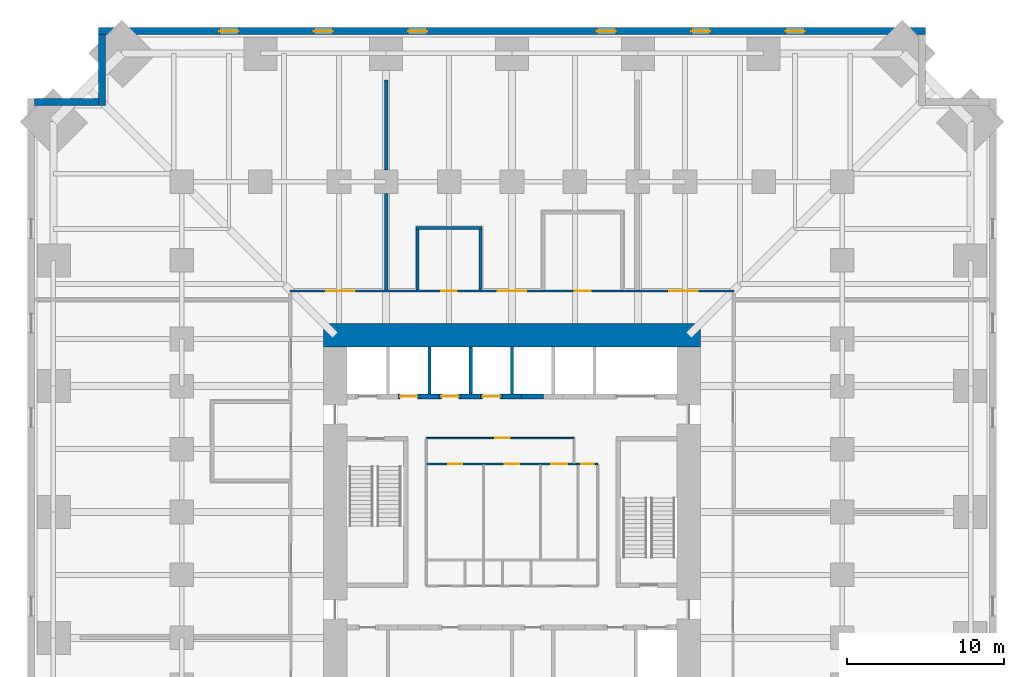
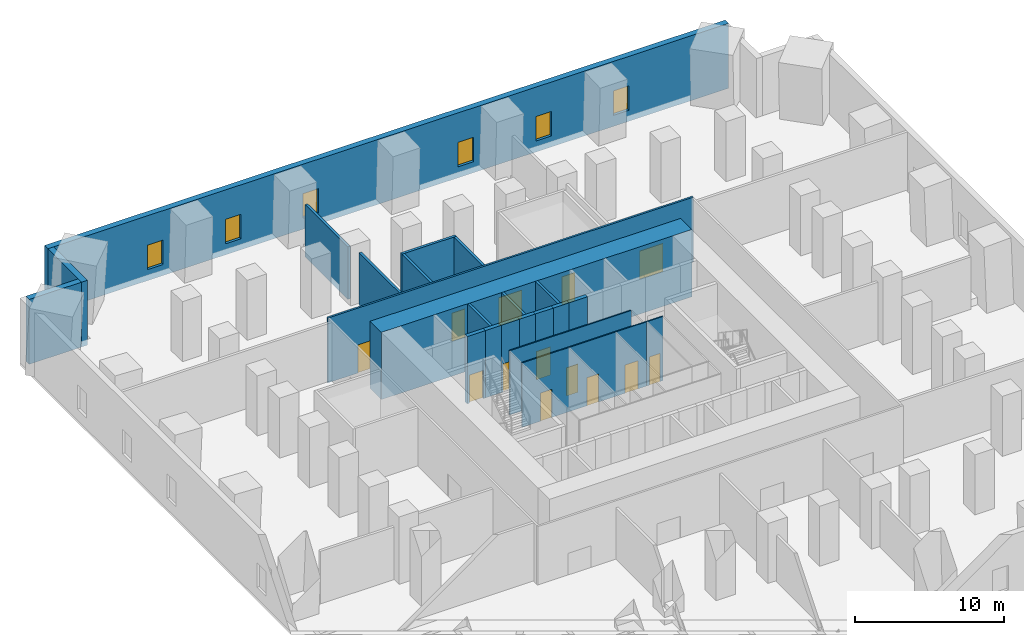
# One storey, part 6 of 8: 23 walls, 13 doors, 6 windows, 19 openings.
"""IFC4 building model written with IfcOpenShell, lengths in metres."""

from ifc_helpers import new_model, si_unit, direction, frame, frame_2d, origin, place, context, subcontext, project, spatial, rectangle, extrude, material, layer, layer_set, type_object, element, fill, save


model = new_model("IFC4")

# Units and contexts
model_context = context("Model", 3, precision=1e-05, world=origin(), true_north=direction((0.0, 1.0)))
body_context = subcontext(model_context, "Body", "Model", "MODEL_VIEW")
ifc_project = project(units=[si_unit("LENGTHUNIT", "METRE"), si_unit("AREAUNIT", "SQUARE_METRE"), si_unit("VOLUMEUNIT", "CUBIC_METRE"), si_unit("PLANEANGLEUNIT", "RADIAN"), si_unit("MASSUNIT", "GRAM", prefix="KILO")], contexts=[model_context])

# Site, building, storey
site_placement = place(None, origin())
site = spatial("IfcSite", under=ifc_project, at=site_placement, CompositionType="ELEMENT")
building_placement = place(site_placement, origin())
building = spatial("IfcBuilding", under=site, at=building_placement, Name="Peilmerk Tower", CompositionType="ELEMENT")
storey_placement = place(building_placement, frame((0.0, 0.0, 43.0)))
storey = spatial("IfcBuildingStorey", under=building, at=storey_placement, Name="L08", CompositionType="ELEMENT", Elevation=43.0)

# Wall, openings, windows
ifc_material_1 = material(Name="Precast concrete C45/55, board-marked finish", Category="concrete")
ifc_layer_1 = layer(ifc_material_1, 0.449951171875)
ifc_layer_set_1 = layer_set([ifc_layer_1], Name="Precast concrete C45/55, board-marked finish")
wall_type_1 = type_object("IfcWallType", Name="EW1 450 precast concrete facade wall, board-marked", PredefinedType="SOLIDWALL", material=ifc_layer_set_1)
wall_1_placement = place(storey_placement, frame((26.300048828125, 30.574951171875, 0.0), z_axis=(0.0, 0.0, 1.0), x_axis=(-1.0, 0.0, 0.0)))
wall_1 = element("IfcWall", 1, at=wall_1_placement, inside=storey, type_object=wall_type_1, Name="Facade wall N L08", PredefinedType="SOLIDWALL", context=body_context, shape_type="SweptSolid", body=[
    extrude(rectangle(XDim=52.60009765625, YDim=0.449951171875, at=frame_2d((26.300048828125, 0.0))), origin(), (0.0, 0.0, 1.0), 5.300048828125),
])
opening_1_placement = place(wall_1_placement, frame((7.699951171875, 0.0, 0.89990234375)))
opening_1 = element("IfcOpeningElement", 2, at=opening_1_placement, cuts=wall_1, Name="Opening W2", PredefinedType="OPENING", context=body_context, shape_type="SweptSolid", body=[
    extrude(rectangle(XDim=1.199951171875, YDim=2.0, at=frame_2d((0.60009765625, 1.0))), frame((0.0, 0.23486328125, 0.0), z_axis=(0.0, -1.0, 0.0), x_axis=(1.0, 0.0, 0.0)), (0.0, 0.0, 1.0), 0.469970703125),
])
opening_2_placement = place(wall_1_placement, frame((13.699951171875, 0.0, 0.89990234375)))
opening_2 = element("IfcOpeningElement", 3, at=opening_2_placement, cuts=wall_1, Name="Opening W2", PredefinedType="OPENING", context=body_context, shape_type="SweptSolid", body=[
    extrude(rectangle(XDim=1.199951171875, YDim=2.0, at=frame_2d((0.60009765625, 1.0))), frame((0.0, 0.23486328125, 0.0), z_axis=(0.0, -1.0, 0.0), x_axis=(1.0, 0.0, 0.0)), (0.0, 0.0, 1.0), 0.469970703125),
])
opening_3_placement = place(wall_1_placement, frame((19.699951171875, 0.0, 0.89990234375)))
opening_3 = element("IfcOpeningElement", 4, at=opening_3_placement, cuts=wall_1, Name="Opening W2", PredefinedType="OPENING", context=body_context, shape_type="SweptSolid", body=[
    extrude(rectangle(XDim=1.199951171875, YDim=2.0, at=frame_2d((0.60009765625, 1.0))), frame((0.0, 0.23486328125, 0.0), z_axis=(0.0, -1.0, 0.0), x_axis=(1.0, 0.0, 0.0)), (0.0, 0.0, 1.0), 0.469970703125),
])
opening_4_placement = place(wall_1_placement, frame((31.699951171875, 0.0, 0.89990234375)))
opening_4 = element("IfcOpeningElement", 5, at=opening_4_placement, cuts=wall_1, Name="Opening W2", PredefinedType="OPENING", context=body_context, shape_type="SweptSolid", body=[
    extrude(rectangle(XDim=1.199951171875, YDim=2.0, at=frame_2d((0.60009765625, 1.0))), frame((0.0, 0.23486328125, 0.0), z_axis=(0.0, -1.0, 0.0), x_axis=(1.0, 0.0, 0.0)), (0.0, 0.0, 1.0), 0.469970703125),
])
opening_5_placement = place(wall_1_placement, frame((37.699951171875, 0.0, 0.89990234375)))
opening_5 = element("IfcOpeningElement", 6, at=opening_5_placement, cuts=wall_1, Name="Opening W2", PredefinedType="OPENING", context=body_context, shape_type="SweptSolid", body=[
    extrude(rectangle(XDim=1.199951171875, YDim=2.0, at=frame_2d((0.60009765625, 1.0))), frame((0.0, 0.23486328125, 0.0), z_axis=(0.0, -1.0, 0.0), x_axis=(1.0, 0.0, 0.0)), (0.0, 0.0, 1.0), 0.469970703125),
])
opening_6_placement = place(wall_1_placement, frame((43.699951171875, 0.0, 0.89990234375)))
opening_6 = element("IfcOpeningElement", 7, at=opening_6_placement, cuts=wall_1, Name="Opening W2", PredefinedType="OPENING", context=body_context, shape_type="SweptSolid", body=[
    extrude(rectangle(XDim=1.199951171875, YDim=2.0, at=frame_2d((0.60009765625, 1.0))), frame((0.0, 0.23486328125, 0.0), z_axis=(0.0, -1.0, 0.0), x_axis=(1.0, 0.0, 0.0)), (0.0, 0.0, 1.0), 0.469970703125),
])
ifc_material_2 = material(Name="Aluminium frame, clear double glazing", Category="aluminium")
window_type = type_object("IfcWindowType", Name="W2 1200x2000 data hall slot window", PartitioningType="SINGLE_PANEL", PredefinedType="WINDOW", material=ifc_material_2)
window_1_placement = place(opening_1_placement, origin())
window_1 = element("IfcWindow", 8, at=window_1_placement, inside=storey, type_object=window_type, Name="Window W2 L08", OverallHeight=2.0, OverallWidth=1.199951171875, PartitioningType="SINGLE_PANEL", PredefinedType="WINDOW", context=body_context, shape_type="SweptSolid", body=[
    extrude(rectangle(XDim=1.199951171875, YDim=2.0, at=frame_2d((0.60009765625, 1.0))), frame((0.0, 0.030029296875, 0.0), z_axis=(0.0, -1.0, 0.0), x_axis=(1.0, 0.0, 0.0)), (0.0, 0.0, 1.0), 0.06005859375),
])
fill(opening_1, window_1)
window_2_placement = place(opening_2_placement, origin())
window_2 = element("IfcWindow", 9, at=window_2_placement, inside=storey, type_object=window_type, Name="Window W2 L08", OverallHeight=2.0, OverallWidth=1.199951171875, PartitioningType="SINGLE_PANEL", PredefinedType="WINDOW", context=body_context, shape_type="SweptSolid", body=[
    extrude(rectangle(XDim=1.199951171875, YDim=2.0, at=frame_2d((0.60009765625, 1.0))), frame((0.0, 0.030029296875, 0.0), z_axis=(0.0, -1.0, 0.0), x_axis=(1.0, 0.0, 0.0)), (0.0, 0.0, 1.0), 0.06005859375),
])
fill(opening_2, window_2)
window_3_placement = place(opening_3_placement, origin())
window_3 = element("IfcWindow", 10, at=window_3_placement, inside=storey, type_object=window_type, Name="Window W2 L08", OverallHeight=2.0, OverallWidth=1.199951171875, PartitioningType="SINGLE_PANEL", PredefinedType="WINDOW", context=body_context, shape_type="SweptSolid", body=[
    extrude(rectangle(XDim=1.199951171875, YDim=2.0, at=frame_2d((0.60009765625, 1.0))), frame((0.0, 0.030029296875, 0.0), z_axis=(0.0, -1.0, 0.0), x_axis=(1.0, 0.0, 0.0)), (0.0, 0.0, 1.0), 0.06005859375),
])
fill(opening_3, window_3)
window_4_placement = place(opening_4_placement, origin())
window_4 = element("IfcWindow", 11, at=window_4_placement, inside=storey, type_object=window_type, Name="Window W2 L08", OverallHeight=2.0, OverallWidth=1.199951171875, PartitioningType="SINGLE_PANEL", PredefinedType="WINDOW", context=body_context, shape_type="SweptSolid", body=[
    extrude(rectangle(XDim=1.199951171875, YDim=2.0, at=frame_2d((0.60009765625, 1.0))), frame((0.0, 0.030029296875, 0.0), z_axis=(0.0, -1.0, 0.0), x_axis=(1.0, 0.0, 0.0)), (0.0, 0.0, 1.0), 0.06005859375),
])
fill(opening_4, window_4)
window_5_placement = place(opening_5_placement, origin())
window_5 = element("IfcWindow", 12, at=window_5_placement, inside=storey, type_object=window_type, Name="Window W2 L08", OverallHeight=2.0, OverallWidth=1.199951171875, PartitioningType="SINGLE_PANEL", PredefinedType="WINDOW", context=body_context, shape_type="SweptSolid", body=[
    extrude(rectangle(XDim=1.199951171875, YDim=2.0, at=frame_2d((0.60009765625, 1.0))), frame((0.0, 0.030029296875, 0.0), z_axis=(0.0, -1.0, 0.0), x_axis=(1.0, 0.0, 0.0)), (0.0, 0.0, 1.0), 0.06005859375),
])
fill(opening_5, window_5)
window_6_placement = place(opening_6_placement, origin())
window_6 = element("IfcWindow", 13, at=window_6_placement, inside=storey, type_object=window_type, Name="Window W2 L08", OverallHeight=2.0, OverallWidth=1.199951171875, PartitioningType="SINGLE_PANEL", PredefinedType="WINDOW", context=body_context, shape_type="SweptSolid", body=[
    extrude(rectangle(XDim=1.199951171875, YDim=2.0, at=frame_2d((0.60009765625, 1.0))), frame((0.0, 0.030029296875, 0.0), z_axis=(0.0, -1.0, 0.0), x_axis=(1.0, 0.0, 0.0)), (0.0, 0.0, 1.0), 0.06005859375),
])
fill(opening_6, window_6)

# Walls
wall_2_placement = place(storey_placement, frame((-26.074951171875, 25.85009765625, 0.0), z_axis=(0.0, 0.0, 1.0), x_axis=(0.0, 1.0, 0.0)))
element("IfcWall", 14, at=wall_2_placement, inside=storey, type_object=wall_type_1, Name="Facade wall NWA L08", PredefinedType="SOLIDWALL", context=body_context, shape_type="SweptSolid", body=[
    extrude(rectangle(XDim=4.5, YDim=0.449951171875, at=frame_2d((2.25, 0.0))), origin(), (0.0, 0.0, 1.0), 5.300048828125),
])
wall_3_placement = place(storey_placement, frame((-26.300048828125, 26.074951171875, 0.0), z_axis=(0.0, 0.0, 1.0), x_axis=(-1.0, 0.0, 0.0)))
element("IfcWall", 15, at=wall_3_placement, inside=storey, type_object=wall_type_1, Name="Facade wall NWB L08", PredefinedType="SOLIDWALL", context=body_context, shape_type="SweptSolid", body=[
    extrude(rectangle(XDim=4.050048828125, YDim=0.449951171875, at=frame_2d((2.02490234375, 0.0))), origin(), (0.0, 0.0, 1.0), 5.300048828125),
])

# Wall, openings, doors
ifc_material_3 = material(Name="Calcium silicate block", Category="masonry")
ifc_layer_2 = layer(ifc_material_3, 0.14990234375)
ifc_layer_set_2 = layer_set([ifc_layer_2], Name="Calcium silicate block")
wall_type_2 = type_object("IfcWallType", Name="IW1 150 corridor partition, EI 60", PredefinedType="PARTITIONING", material=ifc_layer_set_2)
wall_4_placement = place(storey_placement, frame((-14.125, 14.050048828125, 0.0), z_axis=(0.0, 0.0, 1.0), x_axis=(1.0, 0.0, 0.0)))
wall_4 = element("IfcWall", 16, at=wall_4_placement, inside=storey, type_object=wall_type_2, Name="Corridor wall N L08", PredefinedType="PARTITIONING", context=body_context, shape_type="SweptSolid", body=[
    extrude(rectangle(XDim=28.25, YDim=0.14990234375, at=frame_2d((14.125, 0.0))), origin(), (0.0, 0.0, 1.0), 5.300048828125),
])
opening_7_placement = place(wall_4_placement, frame((2.324951171875, 0.0, 0.0)))
opening_7 = element("IfcOpeningElement", 17, at=opening_7_placement, cuts=wall_4, Name="Opening D2", PredefinedType="OPENING", context=body_context, shape_type="SweptSolid", body=[
    extrude(rectangle(XDim=1.800048828125, YDim=2.300048828125, at=frame_2d((0.89990234375, 1.14990234375))), frame((0.0, 0.0849609375, 0.0), z_axis=(0.0, -1.0, 0.0), x_axis=(1.0, 0.0, 0.0)), (0.0, 0.0, 1.0), 0.169921875),
])
opening_8_placement = place(wall_4_placement, frame((13.22509765625, 0.0, 0.0)))
opening_8 = element("IfcOpeningElement", 18, at=opening_8_placement, cuts=wall_4, Name="Opening D2", PredefinedType="OPENING", context=body_context, shape_type="SweptSolid", body=[
    extrude(rectangle(XDim=1.800048828125, YDim=2.300048828125, at=frame_2d((0.89990234375, 1.14990234375))), frame((0.0, 0.0849609375, 0.0), z_axis=(0.0, -1.0, 0.0), x_axis=(1.0, 0.0, 0.0)), (0.0, 0.0, 1.0), 0.169921875),
])
opening_9_placement = place(wall_4_placement, frame((24.125, 0.0, 0.0)))
opening_9 = element("IfcOpeningElement", 19, at=opening_9_placement, cuts=wall_4, Name="Opening D2", PredefinedType="OPENING", context=body_context, shape_type="SweptSolid", body=[
    extrude(rectangle(XDim=1.800048828125, YDim=2.300048828125, at=frame_2d((0.89990234375, 1.14990234375))), frame((0.0, 0.0849609375, 0.0), z_axis=(0.0, -1.0, 0.0), x_axis=(1.0, 0.0, 0.0)), (0.0, 0.0, 1.0), 0.169921875),
])
opening_10_placement = place(wall_4_placement, frame((9.625, 0.0, 0.0)))
opening_10 = element("IfcOpeningElement", 20, at=opening_10_placement, cuts=wall_4, Name="Opening D1", PredefinedType="OPENING", context=body_context, shape_type="SweptSolid", body=[
    extrude(rectangle(XDim=1.0, YDim=2.300048828125, at=frame_2d((0.5, 1.14990234375))), frame((0.0, 0.0849609375, 0.0), z_axis=(0.0, -1.0, 0.0), x_axis=(1.0, 0.0, 0.0)), (0.0, 0.0, 1.0), 0.169921875),
])
opening_11_placement = place(wall_4_placement, frame((18.125, 0.0, 0.0)))
opening_11 = element("IfcOpeningElement", 21, at=opening_11_placement, cuts=wall_4, Name="Opening D1", PredefinedType="OPENING", context=body_context, shape_type="SweptSolid", body=[
    extrude(rectangle(XDim=1.0, YDim=2.300048828125, at=frame_2d((0.5, 1.14990234375))), frame((0.0, 0.0849609375, 0.0), z_axis=(0.0, -1.0, 0.0), x_axis=(1.0, 0.0, 0.0)), (0.0, 0.0, 1.0), 0.169921875),
])
ifc_material_4 = material(Name="Timber door in steel frame", Category="steel")
door_type_1 = type_object("IfcDoorType", Name="D1 1000x2300 room door, EI2 30", OperationType="SINGLE_SWING_LEFT", PredefinedType="DOOR", material=ifc_material_4)
door_1_placement = place(opening_10_placement, origin())
door_1 = element("IfcDoor", 22, at=door_1_placement, inside=storey, type_object=door_type_1, Name="Door Store L08", OperationType="SINGLE_SWING_LEFT", OverallHeight=2.300048828125, OverallWidth=1.0, PredefinedType="DOOR", context=body_context, shape_type="SweptSolid", body=[
    extrude(rectangle(XDim=1.0, YDim=2.300048828125, at=frame_2d((0.5, 1.14990234375))), frame((0.0, 0.02490234375, 0.0), z_axis=(0.0, -1.0, 0.0), x_axis=(1.0, 0.0, 0.0)), (0.0, 0.0, 1.0), 0.050048828125),
])
fill(opening_10, door_1)
door_2_placement = place(opening_11_placement, origin())
door_2 = element("IfcDoor", 23, at=door_2_placement, inside=storey, type_object=door_type_1, Name="Door Operations office L08", OperationType="SINGLE_SWING_LEFT", OverallHeight=2.300048828125, OverallWidth=1.0, PredefinedType="DOOR", context=body_context, shape_type="SweptSolid", body=[
    extrude(rectangle(XDim=1.0, YDim=2.300048828125, at=frame_2d((0.5, 1.14990234375))), frame((0.0, 0.02490234375, 0.0), z_axis=(0.0, -1.0, 0.0), x_axis=(1.0, 0.0, 0.0)), (0.0, 0.0, 1.0), 0.050048828125),
])
fill(opening_11, door_2)
ifc_material_5 = material(Name="Steel door in steel frame", Category="steel")
door_type_2 = type_object("IfcDoorType", Name="D2 1800x2300 double door, EI2 60", OperationType="DOUBLE_DOOR_DOUBLE_SWING", PredefinedType="DOOR", material=ifc_material_5)
door_3_placement = place(opening_7_placement, origin())
door_3 = element("IfcDoor", 24, at=door_3_placement, inside=storey, type_object=door_type_2, Name="Door Computer room A L08", OperationType="DOUBLE_DOOR_DOUBLE_SWING", OverallHeight=2.300048828125, OverallWidth=1.800048828125, PredefinedType="DOOR", context=body_context, shape_type="SweptSolid", body=[
    extrude(rectangle(XDim=1.800048828125, YDim=2.300048828125, at=frame_2d((0.89990234375, 1.14990234375))), frame((0.0, 0.02490234375, 0.0), z_axis=(0.0, -1.0, 0.0), x_axis=(1.0, 0.0, 0.0)), (0.0, 0.0, 1.0), 0.050048828125),
])
fill(opening_7, door_3)
door_4_placement = place(opening_8_placement, origin())
door_4 = element("IfcDoor", 25, at=door_4_placement, inside=storey, type_object=door_type_2, Name="Door Meet-me room A L08", OperationType="DOUBLE_DOOR_DOUBLE_SWING", OverallHeight=2.300048828125, OverallWidth=1.800048828125, PredefinedType="DOOR", context=body_context, shape_type="SweptSolid", body=[
    extrude(rectangle(XDim=1.800048828125, YDim=2.300048828125, at=frame_2d((0.89990234375, 1.14990234375))), frame((0.0, 0.02490234375, 0.0), z_axis=(0.0, -1.0, 0.0), x_axis=(1.0, 0.0, 0.0)), (0.0, 0.0, 1.0), 0.050048828125),
])
fill(opening_8, door_4)
door_5_placement = place(opening_9_placement, origin())
door_5 = element("IfcDoor", 26, at=door_5_placement, inside=storey, type_object=door_type_2, Name="Door Computer room B L08", OperationType="DOUBLE_DOOR_DOUBLE_SWING", OverallHeight=2.300048828125, OverallWidth=1.800048828125, PredefinedType="DOOR", context=body_context, shape_type="SweptSolid", body=[
    extrude(rectangle(XDim=1.800048828125, YDim=2.300048828125, at=frame_2d((0.89990234375, 1.14990234375))), frame((0.0, 0.02490234375, 0.0), z_axis=(0.0, -1.0, 0.0), x_axis=(1.0, 0.0, 0.0)), (0.0, 0.0, 1.0), 0.050048828125),
])
fill(opening_9, door_5)

# Walls
ifc_layer_3 = layer(ifc_material_3, 0.199951171875)
ifc_layer_set_3 = layer_set([ifc_layer_3], Name="Calcium silicate block")
wall_type_3 = type_object("IfcWallType", Name="IW2 200 room separating wall, EI 120", PredefinedType="PARTITIONING", material=ifc_layer_set_3)
wall_5_placement = place(storey_placement, frame((-8.0, 14.125, 0.0), z_axis=(0.0, 0.0, 1.0), x_axis=(0.0, 1.0, 0.0)))
element("IfcWall", 27, at=wall_5_placement, inside=storey, type_object=wall_type_3, Name="Room separating wall N1 L08", PredefinedType="PARTITIONING", context=body_context, shape_type="SweptSolid", body=[
    extrude(rectangle(XDim=6.125, YDim=0.199951171875, at=frame_2d((3.0625, 0.0))), origin(), (0.0, 0.0, 1.0), 4.73095703125),
])
wall_6_placement = place(storey_placement, frame((-8.0, 21.75, 0.0), z_axis=(0.0, 0.0, 1.0), x_axis=(0.0, 1.0, 0.0)))
element("IfcWall", 28, at=wall_6_placement, inside=storey, type_object=wall_type_3, Name="Room separating wall N1b L08", PredefinedType="PARTITIONING", context=body_context, shape_type="SweptSolid", body=[
    extrude(rectangle(XDim=5.706298828125, YDim=0.199951171875, at=frame_2d((2.85302734375, 0.0))), origin(), (0.0, 0.0, 1.0), 4.2919921875),
])
wall_7_placement = place(storey_placement, frame((-6.10009765625, 18.050048828125, 0.0), z_axis=(0.0, 0.0, 1.0), x_axis=(1.0, 0.0, 0.0)))
element("IfcWall", 29, at=wall_7_placement, inside=storey, type_object=wall_type_3, Name="Room separating wall Store L08", PredefinedType="PARTITIONING", context=body_context, shape_type="SweptSolid", body=[
    extrude(rectangle(XDim=4.2001953125, YDim=0.199951171875, at=frame_2d((2.10009765625, 0.0))), origin(), (0.0, 0.0, 1.0), 5.300048828125),
])
for number, where, z_axis, x_axis, name in (
    (30, (-6.0, 14.125, 0.0), (0.0, 0.0, 1.0), (0.0, 1.0, 0.0), "Room separating wall Store L08"),
    (31, (-2.0, 14.125, 0.0), (0.0, 0.0, 1.0), (0.0, 1.0, 0.0), "Room separating wall Store L08"),
):
    element("IfcWall", number, at=place(storey_placement, frame(where, z_axis=z_axis, x_axis=x_axis)), inside=storey, type_object=wall_type_3, Name=name, PredefinedType="PARTITIONING", context=body_context, shape_type="SweptSolid", body=[
        extrude(rectangle(XDim=3.824951171875, YDim=0.199951171875, at=frame_2d((1.91259765625, 0.0))), origin(), (0.0, 0.0, 1.0), 5.300048828125),
    ])

# Wall, openings, doors
ifc_material_6 = material(Name="Plasterboard on steel studs", Category="steel")
ifc_layer_4 = layer(ifc_material_6, 0.10009765625)
ifc_layer_set_4 = layer_set([ifc_layer_4], Name="Plasterboard on steel studs")
wall_type_4 = type_object("IfcWallType", Name="IW4 100 WC partition", PredefinedType="PARTITIONING", material=ifc_layer_set_4)
wall_8_placement = place(storey_placement, frame((-5.449951171875, 3.050048828125, 0.0), z_axis=(0.0, 0.0, 1.0), x_axis=(1.0, 0.0, 0.0)))
wall_8 = element("IfcWall", 32, at=wall_8_placement, inside=storey, type_object=wall_type_4, Name="WC wall L08", PredefinedType="PARTITIONING", context=body_context, shape_type="SweptSolid", body=[
    extrude(rectangle(XDim=9.599853515625, YDim=0.10009765625, at=frame_2d((4.7998046875, 0.0))), origin(), (0.0, 0.0, 1.0), 5.25),
])
opening_12_placement = place(wall_8_placement, frame((1.39990234375, 0.0, 0.0)))
opening_12 = element("IfcOpeningElement", 33, at=opening_12_placement, cuts=wall_8, Name="Opening D5", PredefinedType="OPENING", context=body_context, shape_type="SweptSolid", body=[
    extrude(rectangle(XDim=0.89990234375, YDim=2.300048828125, at=frame_2d((0.449951171875, 1.14990234375))), frame((0.0, 0.06005859375, 0.0), z_axis=(0.0, -1.0, 0.0), x_axis=(1.0, 0.0, 0.0)), (0.0, 0.0, 1.0), 0.1201171875),
])
opening_13_placement = place(wall_8_placement, frame((5.0, 0.0, 0.0)))
opening_13 = element("IfcOpeningElement", 34, at=opening_13_placement, cuts=wall_8, Name="Opening D5", PredefinedType="OPENING", context=body_context, shape_type="SweptSolid", body=[
    extrude(rectangle(XDim=0.89990234375, YDim=2.300048828125, at=frame_2d((0.449951171875, 1.14990234375))), frame((0.0, 0.06005859375, 0.0), z_axis=(0.0, -1.0, 0.0), x_axis=(1.0, 0.0, 0.0)), (0.0, 0.0, 1.0), 0.1201171875),
])
opening_14_placement = place(wall_8_placement, frame((7.949951171875, 0.0, 0.0)))
opening_14 = element("IfcOpeningElement", 35, at=opening_14_placement, cuts=wall_8, Name="Opening D6", PredefinedType="OPENING", context=body_context, shape_type="SweptSolid", body=[
    extrude(rectangle(XDim=1.0, YDim=2.300048828125, at=frame_2d((0.5, 1.14990234375))), frame((0.0, 0.06005859375, 0.0), z_axis=(0.0, -1.0, 0.0), x_axis=(1.0, 0.0, 0.0)), (0.0, 0.0, 1.0), 0.1201171875),
])
door_type_3 = type_object("IfcDoorType", Name="D5 900x2300 WC door", OperationType="SINGLE_SWING_LEFT", PredefinedType="DOOR", material=ifc_material_4)
door_6_placement = place(opening_12_placement, frame((0.89990234375, 0.0, 0.0), z_axis=(0.0, 0.0, 1.0), x_axis=(-1.0, 0.0, 0.0)))
door_6 = element("IfcDoor", 36, at=door_6_placement, inside=storey, type_object=door_type_3, Name="Male toilets door L08", OperationType="SINGLE_SWING_LEFT", OverallHeight=2.300048828125, OverallWidth=0.89990234375, PredefinedType="DOOR", context=body_context, shape_type="SweptSolid", body=[
    extrude(rectangle(XDim=0.89990234375, YDim=2.300048828125, at=frame_2d((0.449951171875, 1.14990234375))), frame((0.0, 0.02490234375, 0.0), z_axis=(0.0, -1.0, 0.0), x_axis=(1.0, 0.0, 0.0)), (0.0, 0.0, 1.0), 0.050048828125),
])
fill(opening_12, door_6)
door_7_placement = place(opening_13_placement, frame((0.89990234375, 0.0, 0.0), z_axis=(0.0, 0.0, 1.0), x_axis=(-1.0, 0.0, 0.0)))
door_7 = element("IfcDoor", 37, at=door_7_placement, inside=storey, type_object=door_type_3, Name="Female toilets door L08", OperationType="SINGLE_SWING_LEFT", OverallHeight=2.300048828125, OverallWidth=0.89990234375, PredefinedType="DOOR", context=body_context, shape_type="SweptSolid", body=[
    extrude(rectangle(XDim=0.89990234375, YDim=2.300048828125, at=frame_2d((0.449951171875, 1.14990234375))), frame((0.0, 0.02490234375, 0.0), z_axis=(0.0, -1.0, 0.0), x_axis=(1.0, 0.0, 0.0)), (0.0, 0.0, 1.0), 0.050048828125),
])
fill(opening_13, door_7)
door_type_4 = type_object("IfcDoorType", Name="D6 1000x2300 accessible WC door", OperationType="SLIDING_TO_LEFT", PredefinedType="DOOR", material=ifc_material_4)
door_8_placement = place(opening_14_placement, frame((1.0, 0.0, 0.0), z_axis=(0.0, 0.0, 1.0), x_axis=(-1.0, 0.0, 0.0)))
door_8 = element("IfcDoor", 38, at=door_8_placement, inside=storey, type_object=door_type_4, Name="Accessible WC door L08", OperationType="SLIDING_TO_LEFT", OverallHeight=2.300048828125, OverallWidth=1.0, PredefinedType="DOOR", context=body_context, shape_type="SweptSolid", body=[
    extrude(rectangle(XDim=1.0, YDim=2.300048828125, at=frame_2d((0.5, 1.14990234375))), frame((0.0, 0.02490234375, 0.0), z_axis=(0.0, -1.0, 0.0), x_axis=(1.0, 0.0, 0.0)), (0.0, 0.0, 1.0), 0.050048828125),
])
fill(opening_14, door_8)

# Wall, opening, door
ifc_material_7 = material(Name="Calcium silicate board on steel studs", Category="steel")
ifc_layer_5 = layer(ifc_material_7, 0.10009765625)
ifc_layer_set_5 = layer_set([ifc_layer_5], Name="Calcium silicate board on steel studs")
wall_type_5 = type_object("IfcWallType", Name="IW5 100 riser enclosure wall, EI 60", PredefinedType="PARTITIONING", material=ifc_layer_set_5)
wall_9_placement = place(storey_placement, frame((4.14990234375, 3.050048828125, 0.0), z_axis=(0.0, 0.0, 1.0), x_axis=(1.0, 0.0, 0.0)))
wall_9 = element("IfcWall", 39, at=wall_9_placement, inside=storey, type_object=wall_type_5, Name="Riser wall L08", PredefinedType="PARTITIONING", context=body_context, shape_type="SweptSolid", body=[
    extrude(rectangle(XDim=1.300048828125, YDim=0.10009765625, at=frame_2d((0.64990234375, 0.0))), origin(), (0.0, 0.0, 1.0), 5.25),
])
opening_15_placement = place(wall_9_placement, frame((0.25, 0.0, 0.0)))
opening_15 = element("IfcOpeningElement", 40, at=opening_15_placement, cuts=wall_9, Name="Opening D7", PredefinedType="OPENING", context=body_context, shape_type="SweptSolid", body=[
    extrude(rectangle(XDim=0.800048828125, YDim=2.300048828125, at=frame_2d((0.39990234375, 1.14990234375))), frame((0.0, 0.06005859375, 0.0), z_axis=(0.0, -1.0, 0.0), x_axis=(1.0, 0.0, 0.0)), (0.0, 0.0, 1.0), 0.1201171875),
])
door_type_5 = type_object("IfcDoorType", Name="D7 800x2300 riser access door, EI2 60", OperationType="SINGLE_SWING_RIGHT", PredefinedType="DOOR", material=ifc_material_5)
door_9_placement = place(opening_15_placement, frame((0.800048828125, 0.0, 0.0), z_axis=(0.0, 0.0, 1.0), x_axis=(-1.0, 0.0, 0.0)))
door_9 = element("IfcDoor", 41, at=door_9_placement, inside=storey, type_object=door_type_5, Name="Plumbing riser door L08", OperationType="SINGLE_SWING_RIGHT", OverallHeight=2.300048828125, OverallWidth=0.800048828125, PredefinedType="DOOR", context=body_context, shape_type="SweptSolid", body=[
    extrude(rectangle(XDim=0.800048828125, YDim=2.300048828125, at=frame_2d((0.39990234375, 1.14990234375))), frame((0.0, 0.02490234375, 0.0), z_axis=(0.0, -1.0, 0.0), x_axis=(1.0, 0.0, 0.0)), (0.0, 0.0, 1.0), 0.050048828125),
])
fill(opening_15, door_9)

ifc_material_8 = material(Name="Fire-resisting plasterboard on steel studs", Category="steel")
ifc_layer_6 = layer(ifc_material_8, 0.10009765625)
ifc_layer_set_6 = layer_set([ifc_layer_6], Name="Fire-resisting plasterboard on steel studs")
wall_type_6 = type_object("IfcWallType", Name="IW9 100 WC lobby wall, EI 30", PredefinedType="PARTITIONING", material=ifc_layer_set_6)
wall_10_placement = place(storey_placement, frame((-5.449951171875, 4.699951171875, 0.0), z_axis=(0.0, 0.0, 1.0), x_axis=(1.0, 0.0, 0.0)))
wall_10 = element("IfcWall", 42, at=wall_10_placement, inside=storey, type_object=wall_type_6, Name="WC lobby wall L08", PredefinedType="PARTITIONING", context=body_context, shape_type="SweptSolid", body=[
    extrude(rectangle(XDim=9.39990234375, YDim=0.10009765625, at=frame_2d((4.699951171875, 0.0))), origin(), (0.0, 0.0, 1.0), 5.25),
])
opening_16_placement = place(wall_10_placement, frame((4.39990234375, 0.0, 0.0)))
opening_16 = element("IfcOpeningElement", 43, at=opening_16_placement, cuts=wall_10, Name="Opening D11", PredefinedType="OPENING", context=body_context, shape_type="SweptSolid", body=[
    extrude(rectangle(XDim=0.89990234375, YDim=2.300048828125, at=frame_2d((0.449951171875, 1.14990234375))), frame((0.0, 0.06005859375, 0.0), z_axis=(0.0, -1.0, 0.0), x_axis=(1.0, 0.0, 0.0)), (0.0, 0.0, 1.0), 0.1201171875),
])
door_type_6 = type_object("IfcDoorType", Name="D11 900x2300 WC lobby door, EI2 30", OperationType="SINGLE_SWING_LEFT", PredefinedType="DOOR", material=ifc_material_4)
door_10_placement = place(opening_16_placement, frame((0.89990234375, 0.0, 0.0), z_axis=(0.0, 0.0, 1.0), x_axis=(-1.0, 0.0, 0.0)))
door_10 = element("IfcDoor", 44, at=door_10_placement, inside=storey, type_object=door_type_6, Name="WC lobby door L08", OperationType="SINGLE_SWING_LEFT", OverallHeight=2.300048828125, OverallWidth=0.89990234375, PredefinedType="DOOR", context=body_context, shape_type="SweptSolid", body=[
    extrude(rectangle(XDim=0.89990234375, YDim=2.300048828125, at=frame_2d((0.449951171875, 1.14990234375))), frame((0.0, 0.02490234375, 0.0), z_axis=(0.0, -1.0, 0.0), x_axis=(1.0, 0.0, 0.0)), (0.0, 0.0, 1.0), 0.050048828125),
])
fill(opening_16, door_10)

# Walls
ifc_layer_7 = layer(ifc_material_3, 0.199951171875)
ifc_layer_set_7 = layer_set([ifc_layer_7], Name="Calcium silicate block")
wall_type_7 = type_object("IfcWallType", Name="SH1 200 shaft dividing wall, EI 120", PredefinedType="PARTITIONING", material=ifc_layer_set_7)
for number, where, z_axis, x_axis, name in (
    (45, (-5.25, 7.5, 0.0), (0.0, 0.0, 1.0), (0.0, 1.0, 0.0), "Shaft wall N A1 L08"),
    (46, (-2.625, 7.5, 0.0), (0.0, 0.0, 1.0), (0.0, 1.0, 0.0), "Shaft wall N A2 L08"),
    (47, (0.0, 7.5, 0.0), (0.0, 0.0, 1.0), (0.0, 1.0, 0.0), "Shaft wall N A3 L08"),
):
    element("IfcWall", number, at=place(storey_placement, frame(where, z_axis=z_axis, x_axis=x_axis)), inside=storey, type_object=wall_type_7, Name=name, PredefinedType="PARTITIONING", context=body_context, shape_type="SweptSolid", body=[
        extrude(rectangle(XDim=3.0, YDim=0.199951171875, at=frame_2d((1.5, 0.0))), origin(), (0.0, 0.0, 1.0), 5.5),
    ])

# Wall, opening, door
ifc_layer_8 = layer(ifc_material_3, 0.300048828125)
ifc_layer_set_8 = layer_set([ifc_layer_8], Name="Calcium silicate block")
wall_type_8 = type_object("IfcWallType", Name="SH2 300 lift landing door panel, EI 120", PredefinedType="PARTITIONING", material=ifc_layer_set_8)
wall_11_placement = place(storey_placement, frame((-7.262451171875, 7.35009765625, 0.0), z_axis=(0.0, 0.0, 1.0), x_axis=(1.0, 0.0, 0.0)))
wall_11 = element("IfcWall", 48, at=wall_11_placement, inside=storey, type_object=wall_type_8, Name="Lift door panel N A1 L08", PredefinedType="PARTITIONING", context=body_context, shape_type="SweptSolid", body=[
    extrude(rectangle(XDim=1.39990234375, YDim=0.300048828125, at=frame_2d((0.699951171875, 0.0))), origin(), (0.0, 0.0, 1.0), 5.5),
])
opening_17_placement = place(wall_11_placement, frame((0.14990234375, 0.0, 0.0)))
opening_17 = element("IfcOpeningElement", 49, at=opening_17_placement, cuts=wall_11, Name="Opening LD1", PredefinedType="OPENING", context=body_context, shape_type="SweptSolid", body=[
    extrude(rectangle(XDim=1.10009765625, YDim=2.300048828125, at=frame_2d((0.550048828125, 1.14990234375))), frame((0.0, 0.159912109375, 0.0), z_axis=(0.0, -1.0, 0.0), x_axis=(1.0, 0.0, 0.0)), (0.0, 0.0, 1.0), 0.320068359375),
])
ifc_material_9 = material(Name="Stainless steel landing door", Category="steel")
door_type_7 = type_object("IfcDoorType", Name="LD1 1100x2300 lift landing door, sliding, EI2 60", OperationType="SLIDING_TO_LEFT", PredefinedType="DOOR", material=ifc_material_9)
door_11_placement = place(opening_17_placement, frame((1.10009765625, 0.0, 0.0), z_axis=(0.0, 0.0, 1.0), x_axis=(-1.0, 0.0, 0.0)))
door_11 = element("IfcDoor", 50, at=door_11_placement, inside=storey, type_object=door_type_7, Name="Lift landing door A1 L08", OperationType="SLIDING_TO_LEFT", OverallHeight=2.300048828125, OverallWidth=1.10009765625, PredefinedType="DOOR", context=body_context, shape_type="SweptSolid", body=[
    extrude(rectangle(XDim=1.10009765625, YDim=2.300048828125, at=frame_2d((0.550048828125, 1.14990234375))), frame((0.0, 0.02490234375, 0.0), z_axis=(0.0, -1.0, 0.0), x_axis=(1.0, 0.0, 0.0)), (0.0, 0.0, 1.0), 0.050048828125),
])
fill(opening_17, door_11)

wall_12_placement = place(storey_placement, frame((-4.637451171875, 7.35009765625, 0.0), z_axis=(0.0, 0.0, 1.0), x_axis=(1.0, 0.0, 0.0)))
wall_12 = element("IfcWall", 51, at=wall_12_placement, inside=storey, type_object=wall_type_8, Name="Lift door panel N A2 L08", PredefinedType="PARTITIONING", context=body_context, shape_type="SweptSolid", body=[
    extrude(rectangle(XDim=1.39990234375, YDim=0.300048828125, at=frame_2d((0.699951171875, 0.0))), origin(), (0.0, 0.0, 1.0), 5.5),
])
opening_18_placement = place(wall_12_placement, frame((0.14990234375, 0.0, 0.0)))
opening_18 = element("IfcOpeningElement", 52, at=opening_18_placement, cuts=wall_12, Name="Opening LD1", PredefinedType="OPENING", context=body_context, shape_type="SweptSolid", body=[
    extrude(rectangle(XDim=1.10009765625, YDim=2.300048828125, at=frame_2d((0.550048828125, 1.14990234375))), frame((0.0, 0.159912109375, 0.0), z_axis=(0.0, -1.0, 0.0), x_axis=(1.0, 0.0, 0.0)), (0.0, 0.0, 1.0), 0.320068359375),
])
door_12_placement = place(opening_18_placement, frame((1.10009765625, 0.0, 0.0), z_axis=(0.0, 0.0, 1.0), x_axis=(-1.0, 0.0, 0.0)))
door_12 = element("IfcDoor", 53, at=door_12_placement, inside=storey, type_object=door_type_7, Name="Lift landing door A2 L08", OperationType="SLIDING_TO_LEFT", OverallHeight=2.300048828125, OverallWidth=1.10009765625, PredefinedType="DOOR", context=body_context, shape_type="SweptSolid", body=[
    extrude(rectangle(XDim=1.10009765625, YDim=2.300048828125, at=frame_2d((0.550048828125, 1.14990234375))), frame((0.0, 0.02490234375, 0.0), z_axis=(0.0, -1.0, 0.0), x_axis=(1.0, 0.0, 0.0)), (0.0, 0.0, 1.0), 0.050048828125),
])
fill(opening_18, door_12)

wall_13_placement = place(storey_placement, frame((-2.012451171875, 7.35009765625, 0.0), z_axis=(0.0, 0.0, 1.0), x_axis=(1.0, 0.0, 0.0)))
wall_13 = element("IfcWall", 54, at=wall_13_placement, inside=storey, type_object=wall_type_8, Name="Lift door panel N A3 L08", PredefinedType="PARTITIONING", context=body_context, shape_type="SweptSolid", body=[
    extrude(rectangle(XDim=1.39990234375, YDim=0.300048828125, at=frame_2d((0.699951171875, 0.0))), origin(), (0.0, 0.0, 1.0), 5.5),
])
opening_19_placement = place(wall_13_placement, frame((0.14990234375, 0.0, 0.0)))
opening_19 = element("IfcOpeningElement", 55, at=opening_19_placement, cuts=wall_13, Name="Opening LD1", PredefinedType="OPENING", context=body_context, shape_type="SweptSolid", body=[
    extrude(rectangle(XDim=1.10009765625, YDim=2.300048828125, at=frame_2d((0.550048828125, 1.14990234375))), frame((0.0, 0.159912109375, 0.0), z_axis=(0.0, -1.0, 0.0), x_axis=(1.0, 0.0, 0.0)), (0.0, 0.0, 1.0), 0.320068359375),
])
door_13_placement = place(opening_19_placement, frame((1.10009765625, 0.0, 0.0), z_axis=(0.0, 0.0, 1.0), x_axis=(-1.0, 0.0, 0.0)))
door_13 = element("IfcDoor", 56, at=door_13_placement, inside=storey, type_object=door_type_7, Name="Lift landing door A3 L08", OperationType="SLIDING_TO_LEFT", OverallHeight=2.300048828125, OverallWidth=1.10009765625, PredefinedType="DOOR", context=body_context, shape_type="SweptSolid", body=[
    extrude(rectangle(XDim=1.10009765625, YDim=2.300048828125, at=frame_2d((0.550048828125, 1.14990234375))), frame((0.0, 0.02490234375, 0.0), z_axis=(0.0, -1.0, 0.0), x_axis=(1.0, 0.0, 0.0)), (0.0, 0.0, 1.0), 0.050048828125),
])
fill(opening_19, door_13)

# Walls
wall_14_placement = place(storey_placement, frame((0.612548828125, 7.35009765625, 0.0), z_axis=(0.0, 0.0, 1.0), x_axis=(1.0, 0.0, 0.0)))
element("IfcWall", 57, at=wall_14_placement, inside=storey, type_object=wall_type_8, Name="Lift door panel N S1 L08", PredefinedType="PARTITIONING", context=body_context, shape_type="SweptSolid", body=[
    extrude(rectangle(XDim=1.39990234375, YDim=0.300048828125, at=frame_2d((0.699951171875, 0.0))), origin(), (0.0, 0.0, 1.0), 5.5),
])
ifc_material_10 = material(Name="Concrete C55/67", Category="concrete")
ifc_layer_9 = layer(ifc_material_10, 1.5)
ifc_layer_set_9 = layer_set([ifc_layer_9], Name="Concrete C55/67")
wall_type_9 = type_object("IfcWallType", Name="SW1 1500 core wall", PredefinedType="SHEAR", material=ifc_layer_set_9)
wall_15_placement = place(storey_placement, frame((-12.0, 11.25, 0.0), z_axis=(0.0, 0.0, 1.0), x_axis=(1.0, 0.0, 0.0)))
element("IfcWall", 58, at=wall_15_placement, inside=storey, type_object=wall_type_9, Name="Core wall N L08", PredefinedType="SHEAR", context=body_context, shape_type="SweptSolid", body=[
    extrude(rectangle(XDim=24.0, YDim=1.5, at=frame_2d((12.0, 0.0))), origin(), (0.0, 0.0, 1.0), 5.5),
])
ifc_layer_10 = layer(ifc_material_10, 0.300048828125)
ifc_layer_set_10 = layer_set([ifc_layer_10], Name="Concrete C55/67")
wall_type_10 = type_object("IfcWallType", Name="SW2 300 lift bank pier", PredefinedType="SHEAR", material=ifc_layer_set_10)
for number, where, z_axis, x_axis, name in (
    (59, (-5.862548828125, 7.35009765625, 0.0), (0.0, 0.0, 1.0), (1.0, 0.0, 0.0), "Lift bank pier N L08"),
    (60, (-3.237548828125, 7.35009765625, 0.0), (0.0, 0.0, 1.0), (1.0, 0.0, 0.0), "Lift bank pier N L08"),
    (61, (-0.612548828125, 7.35009765625, 0.0), (0.0, 0.0, 1.0), (1.0, 0.0, 0.0), "Lift bank pier N L08"),
):
    element("IfcWall", number, at=place(storey_placement, frame(where, z_axis=z_axis, x_axis=x_axis)), inside=storey, type_object=wall_type_10, Name=name, PredefinedType="SHEAR", context=body_context, shape_type="SweptSolid", body=[
        extrude(rectangle(XDim=1.22509765625, YDim=0.300048828125, at=frame_2d((0.612548828125, 0.0))), origin(), (0.0, 0.0, 1.0), 5.5),
    ])

save(model, "model.ifc")
